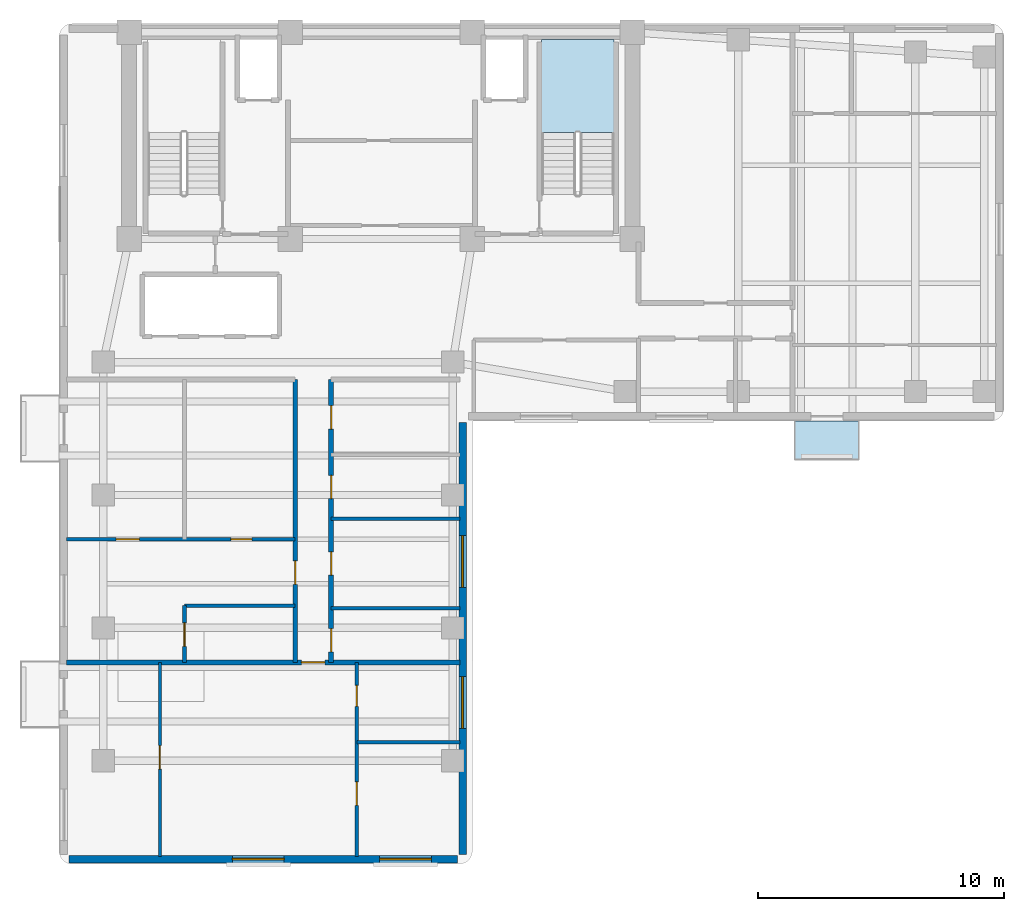
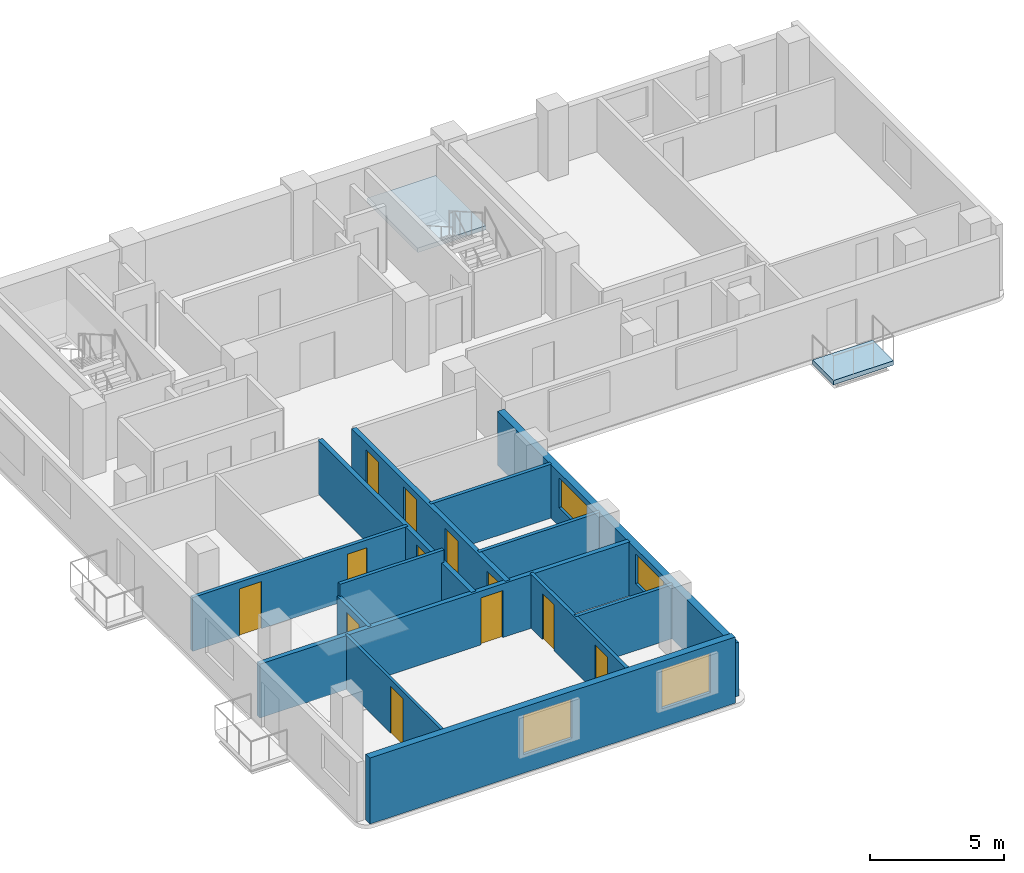
# One storey, part 2 of 7: 13 walls, 12 doors, 4 windows, 2 slabs, 16 openings, 1 element without a shape of its own.
"""IFC4 building model written with IfcOpenShell, lengths in metres."""

from ifc_helpers import new_model, si_unit, direction, frame, frame_2d, origin, place, context, subcontext, project, spatial, polyline, rectangle, outline, extrude, material, layer, layer_set, type_object, element, fill, aggregate, save


model = new_model("IFC4")

# Units and contexts
model_context = context("Model", 3, precision=1e-05, world=origin(), true_north=direction((0.0, 1.0)))
body_context = subcontext(model_context, "Body", "Model", "MODEL_VIEW")
ifc_project = project(units=[si_unit("LENGTHUNIT", "METRE"), si_unit("AREAUNIT", "SQUARE_METRE"), si_unit("VOLUMEUNIT", "CUBIC_METRE"), si_unit("PLANEANGLEUNIT", "RADIAN"), si_unit("MASSUNIT", "GRAM", prefix="KILO")], contexts=[model_context])

# Site, building, storey
site_placement = place(None, origin())
site = spatial("IfcSite", under=ifc_project, at=site_placement, CompositionType="ELEMENT")
building_placement = place(site_placement, origin())
building = spatial("IfcBuilding", under=site, at=building_placement, Name="Kuzgunbayir Cultural Tower", CompositionType="ELEMENT")
storey_placement = place(building_placement, frame((0.0, 0.0, 176.0)))
storey = spatial("IfcBuildingStorey", under=building, at=storey_placement, Name="L51", CompositionType="ELEMENT", Elevation=176.0)

# Slab
ifc_material_1 = material(Name="Concrete C40/50", Category="concrete")
ifc_layer_1 = layer(ifc_material_1, 0.199951171875)
ifc_layer_set_1 = layer_set([ifc_layer_1], Name="Concrete C40/50")
slab_type_1 = type_object("IfcSlabType", Name="SLB-BAL-STONE", PredefinedType="FLOOR", material=ifc_layer_set_1)
slab_1_placement = place(storey_placement, frame((0.0, 0.0, -0.199951171875)))
element("IfcSlab", 1, at=slab_1_placement, inside=storey, type_object=slab_type_1, Name="L51 Projecting Limestone Balcony BAL-L51-WB2", PredefinedType="FLOOR", context=body_context, shape_type="SweptSolid", body=[
    extrude(outline(polyline([(33.5, 24.840087890625), (36.10009765625, 24.840087890625), (36.10009765625, 26.39990234375), (33.5, 26.39990234375), (33.5, 24.840087890625)])), origin(), (0.0, 0.0, 1.0), 0.199951171875),
])

# Stair, slab
stair_type = type_object("IfcStairType", Name="STR-EXIT-CORE", PredefinedType="HALF_TURN_STAIR", material=ifc_material_1)
stair_placement = place(storey_placement, origin())
stair = element("IfcStair", 2, at=stair_placement, inside=storey, type_object=stair_type, Name="L51 ST-2", PredefinedType="HALF_TURN_STAIR")
ifc_layer_2 = layer(ifc_material_1, 0.179931640625)
ifc_layer_set_2 = layer_set([ifc_layer_2], Name="Concrete C40/50")
slab_type_2 = type_object("IfcSlabType", Name="SLB-LANDING-180", PredefinedType="LANDING", material=ifc_layer_set_2)
slab_2_placement = place(storey_placement, frame((0.0, 0.0, 1.39990234375)))
slab_2 = element("IfcSlab", 3, at=slab_2_placement, type_object=slab_type_2, Name="ST-2 landing 1", PredefinedType="LANDING", context=body_context, shape_type="SweptSolid", body=[
    extrude(outline(polyline([(26.159912109375, 38.1201171875), (26.159912109375, 41.89990234375), (23.199951171875, 41.89990234375), (23.199951171875, 38.1201171875), (26.159912109375, 38.1201171875)])), origin(), (0.0, 0.0, 1.0), 0.2001953125),
])
aggregate(stair, [slab_2])

# Wall, openings, windows
ifc_material_2 = material(Name="Anatolian Cream Limestone", Category="masonry")
ifc_layer_3 = layer(ifc_material_2, 0.300048828125)
ifc_layer_set_3 = layer_set([ifc_layer_3], Name="Anatolian Cream Limestone")
wall_type_1 = type_object("IfcWallType", Name="WAL-EXT-STONE-300", PredefinedType="STANDARD", material=ifc_layer_set_3)
wall_1_placement = place(storey_placement, frame((4.0, 8.60009765625, 0.0), z_axis=(0.0, 0.0, 1.0), x_axis=(1.0, 0.0, 0.0)))
wall_1 = element("IfcWall", 4, at=wall_1_placement, inside=storey, type_object=wall_type_1, Name="L51 Wing A South Limestone Wall", PredefinedType="STANDARD", context=body_context, shape_type="SweptSolid", body=[
    extrude(rectangle(XDim=15.800048828125, YDim=0.300048828125, at=frame_2d((7.89990234375, 0.0))), origin(), (0.0, 0.0, 1.0), 3.02001953125),
])
opening_1_placement = place(wall_1_placement, frame((6.64990234375, 0.0, 0.85009765625)))
opening_1 = element("IfcOpeningElement", 5, at=opening_1_placement, cuts=wall_1, Name="Opening WR-21", PredefinedType="OPENING", context=body_context, shape_type="SweptSolid", body=[
    extrude(rectangle(XDim=2.10009765625, YDim=1.800048828125, at=frame_2d((1.050048828125, 0.89990234375))), frame((0.0, 0.16015625, 0.0), z_axis=(0.0, -1.0, 0.0), x_axis=(1.0, 0.0, 0.0)), (0.0, 0.0, 1.0), 0.320068359375),
])
opening_2_placement = place(wall_1_placement, frame((12.6298828125, 0.0, 0.85009765625)))
opening_2 = element("IfcOpeningElement", 6, at=opening_2_placement, cuts=wall_1, Name="Opening WR-21", PredefinedType="OPENING", context=body_context, shape_type="SweptSolid", body=[
    extrude(rectangle(XDim=2.10009765625, YDim=1.800048828125, at=frame_2d((1.050048828125, 0.89990234375))), frame((0.0, 0.16015625, 0.0), z_axis=(0.0, -1.0, 0.0), x_axis=(1.0, 0.0, 0.0)), (0.0, 0.0, 1.0), 0.320068359375),
])
ifc_material_3 = material(Name="Solar-Control Triple Glazing", Category="glass")
window_type = type_object("IfcWindowType", Name="WIN-RESID-21", PartitioningType="SINGLE_PANEL", PredefinedType="WINDOW", material=ifc_material_3)
window_1_placement = place(opening_1_placement, origin())
window_1 = element("IfcWindow", 7, at=window_1_placement, inside=storey, type_object=window_type, Name="L51 WAS Facade Window 1", OverallHeight=1.800048828125, OverallWidth=2.10009765625, PartitioningType="SINGLE_PANEL", PredefinedType="WINDOW", context=body_context, shape_type="SweptSolid", body=[
    extrude(rectangle(XDim=2.10009765625, YDim=1.800048828125, at=frame_2d((1.050048828125, 0.89990234375))), frame((0.0, 0.030029296875, 0.0), z_axis=(0.0, -1.0, 0.0), x_axis=(1.0, 0.0, 0.0)), (0.0, 0.0, 1.0), 0.06005859375),
])
fill(opening_1, window_1)
window_2_placement = place(opening_2_placement, origin())
window_2 = element("IfcWindow", 8, at=window_2_placement, inside=storey, type_object=window_type, Name="L51 WAS Facade Window 2", OverallHeight=1.800048828125, OverallWidth=2.10009765625, PartitioningType="SINGLE_PANEL", PredefinedType="WINDOW", context=body_context, shape_type="SweptSolid", body=[
    extrude(rectangle(XDim=2.10009765625, YDim=1.800048828125, at=frame_2d((1.050048828125, 0.89990234375))), frame((0.0, 0.030029296875, 0.0), z_axis=(0.0, -1.0, 0.0), x_axis=(1.0, 0.0, 0.0)), (0.0, 0.0, 1.0), 0.06005859375),
])
fill(opening_2, window_2)

wall_2_placement = place(storey_placement, frame((20.0, 8.800048828125, 0.0), z_axis=(0.0, 0.0, 1.0), x_axis=(0.0, 1.0, 0.0)))
wall_2 = element("IfcWall", 9, at=wall_2_placement, inside=storey, type_object=wall_type_1, Name="L51 Wing A East Limestone Wall", PredefinedType="STANDARD", context=body_context, shape_type="SweptSolid", body=[
    extrude(rectangle(XDim=17.550048828125, YDim=0.300048828125, at=frame_2d((8.77490234375, 0.0))), origin(), (0.0, 0.0, 1.0), 2.4599609375),
])
opening_3_placement = place(wall_2_placement, frame((5.1201171875, 0.0, 0.85009765625)))
opening_3 = element("IfcOpeningElement", 10, at=opening_3_placement, cuts=wall_2, Name="Opening WR-21", PredefinedType="OPENING", context=body_context, shape_type="SweptSolid", body=[
    extrude(rectangle(XDim=2.10009765625, YDim=1.360107421875, at=frame_2d((1.050048828125, 0.68017578125))), frame((0.0, 0.16015625, 0.0), z_axis=(0.0, -1.0, 0.0), x_axis=(1.0, 0.0, 0.0)), (0.0, 0.0, 1.0), 0.320068359375),
])
opening_4_placement = place(wall_2_placement, frame((10.85009765625, 0.0, 0.85009765625)))
opening_4 = element("IfcOpeningElement", 11, at=opening_4_placement, cuts=wall_2, Name="Opening WR-21", PredefinedType="OPENING", context=body_context, shape_type="SweptSolid", body=[
    extrude(rectangle(XDim=2.10009765625, YDim=1.360107421875, at=frame_2d((1.050048828125, 0.68017578125))), frame((0.0, 0.16015625, 0.0), z_axis=(0.0, -1.0, 0.0), x_axis=(1.0, 0.0, 0.0)), (0.0, 0.0, 1.0), 0.320068359375),
])
window_3_placement = place(opening_3_placement, origin())
window_3 = element("IfcWindow", 12, at=window_3_placement, inside=storey, type_object=window_type, Name="L51 WAE Facade Window 3", OverallHeight=1.360107421875, OverallWidth=2.10009765625, PartitioningType="SINGLE_PANEL", PredefinedType="WINDOW", context=body_context, shape_type="SweptSolid", body=[
    extrude(rectangle(XDim=2.10009765625, YDim=1.360107421875, at=frame_2d((1.050048828125, 0.68017578125))), frame((0.0, 0.030029296875, 0.0), z_axis=(0.0, -1.0, 0.0), x_axis=(1.0, 0.0, 0.0)), (0.0, 0.0, 1.0), 0.06005859375),
])
fill(opening_3, window_3)
window_4_placement = place(opening_4_placement, origin())
window_4 = element("IfcWindow", 13, at=window_4_placement, inside=storey, type_object=window_type, Name="L51 WAE Facade Window 11", OverallHeight=1.360107421875, OverallWidth=2.10009765625, PartitioningType="SINGLE_PANEL", PredefinedType="WINDOW", context=body_context, shape_type="SweptSolid", body=[
    extrude(rectangle(XDim=2.10009765625, YDim=1.360107421875, at=frame_2d((1.050048828125, 0.68017578125))), frame((0.0, 0.030029296875, 0.0), z_axis=(0.0, -1.0, 0.0), x_axis=(1.0, 0.0, 0.0)), (0.0, 0.0, 1.0), 0.06005859375),
])
fill(opening_4, window_4)

# Wall
ifc_material_4 = material(Name="Acoustic Double-Stud Drywall", Category="gypsum")
ifc_layer_4 = layer(ifc_material_4, 0.14990234375)
ifc_layer_set_4 = layer_set([ifc_layer_4], Name="Acoustic Double-Stud Drywall")
wall_type_2 = type_object("IfcWallType", Name="WAL-PART-ACOUSTIC-150", PredefinedType="PARTITIONING", material=ifc_layer_set_4)
wall_3_placement = place(storey_placement, frame((14.659912109375, 22.429931640625, 0.0), z_axis=(0.0, 0.0, 1.0), x_axis=(1.0, 0.0, 0.0)))
element("IfcWall", 14, at=wall_3_placement, inside=storey, type_object=wall_type_2, Name="L51 East Divider 1", PredefinedType="PARTITIONING", context=body_context, shape_type="SweptSolid", body=[
    extrude(rectangle(XDim=5.239990234375, YDim=0.14990234375, at=frame_2d((2.6201171875, 0.0))), origin(), (0.0, 0.0, 1.0), 2.4599609375),
])

# Wall, opening, door
ifc_material_5 = material(Name="Aerated Concrete Blockwork", Category="masonry")
ifc_layer_5 = layer(ifc_material_5, 0.199951171875)
ifc_layer_set_5 = layer_set([ifc_layer_5], Name="Aerated Concrete Blockwork")
wall_type_3 = type_object("IfcWallType", Name="WAL-PART-FIRE-200", PredefinedType="PARTITIONING", material=ifc_layer_set_5)
wall_4_placement = place(storey_placement, frame((13.199951171875, 16.60009765625, 0.0), z_axis=(0.0, 0.0, 1.0), x_axis=(0.0, 1.0, 0.0)))
wall_4 = element("IfcWall", 15, at=wall_4_placement, inside=storey, type_object=wall_type_3, Name="L51 Wing A West Corridor Wall", PredefinedType="PARTITIONING", context=body_context, shape_type="SweptSolid", body=[
    extrude(rectangle(XDim=11.5, YDim=0.199951171875, at=frame_2d((5.75, 0.0))), origin(), (0.0, 0.0, 1.0), 2.4599609375),
])
opening_5_placement = place(wall_4_placement, frame((3.169921875, 0.0, 0.0)))
opening_5 = element("IfcOpeningElement", 16, at=opening_5_placement, cuts=wall_4, Name="Opening DR-APT-60", PredefinedType="OPENING", context=body_context, shape_type="SweptSolid", body=[
    extrude(rectangle(XDim=0.949951171875, YDim=2.14990234375, at=frame_2d((0.47509765625, 1.074951171875))), frame((0.0, 0.10986328125, 0.0), z_axis=(0.0, -1.0, 0.0), x_axis=(1.0, 0.0, 0.0)), (0.0, 0.0, 1.0), 0.219970703125),
])
ifc_material_6 = material(Name="Acoustic Fire Timber Leaf", Category="wood")
door_type_1 = type_object("IfcDoorType", Name="DR-APT-60", OperationType="NOTDEFINED", PredefinedType="DOOR", material=ifc_material_6)
door_1_placement = place(opening_5_placement, origin())
door_1 = element("IfcDoor", 17, at=door_1_placement, inside=storey, type_object=door_type_1, Name="L51 Apartment B Entrance", OperationType="SINGLE_SWING_RIGHT", OverallHeight=2.14990234375, OverallWidth=0.949951171875, PredefinedType="DOOR", context=body_context, shape_type="SweptSolid", body=[
    extrude(rectangle(XDim=0.949951171875, YDim=2.14990234375, at=frame_2d((0.47509765625, 1.074951171875))), frame((0.0, 0.02490234375, 0.0), z_axis=(0.0, -1.0, 0.0), x_axis=(1.0, 0.0, 0.0)), (0.0, 0.0, 1.0), 0.050048828125),
])
fill(opening_5, door_1)

# Wall, openings, doors
wall_5_placement = place(storey_placement, frame((14.659912109375, 16.60009765625, 0.0), z_axis=(0.0, 0.0, 1.0), x_axis=(0.0, 1.0, 0.0)))
wall_5 = element("IfcWall", 18, at=wall_5_placement, inside=storey, type_object=wall_type_3, Name="L51 Wing A East Corridor Wall", PredefinedType="PARTITIONING", context=body_context, shape_type="SweptSolid", body=[
    extrude(rectangle(XDim=11.5, YDim=0.199951171875, at=frame_2d((5.75, 0.0))), origin(), (0.0, 0.0, 1.0), 2.4599609375),
])
opening_6_placement = place(wall_5_placement, frame((0.419921875, 0.0, 0.0)))
opening_6 = element("IfcOpeningElement", 19, at=opening_6_placement, cuts=wall_5, Name="Opening DW-95", PredefinedType="OPENING", context=body_context, shape_type="SweptSolid", body=[
    extrude(rectangle(XDim=0.949951171875, YDim=2.10009765625, at=frame_2d((0.47509765625, 1.050048828125))), frame((0.0, 0.10986328125, 0.0), z_axis=(0.0, -1.0, 0.0), x_axis=(1.0, 0.0, 0.0)), (0.0, 0.0, 1.0), 0.219970703125),
])
opening_7_placement = place(wall_5_placement, frame((3.5400390625, 0.0, 0.0)))
opening_7 = element("IfcOpeningElement", 20, at=opening_7_placement, cuts=wall_5, Name="Opening DI-90", PredefinedType="OPENING", context=body_context, shape_type="SweptSolid", body=[
    extrude(rectangle(XDim=0.949951171875, YDim=2.14990234375, at=frame_2d((0.47509765625, 1.074951171875))), frame((0.0, 0.10986328125, 0.0), z_axis=(0.0, -1.0, 0.0), x_axis=(1.0, 0.0, 0.0)), (0.0, 0.0, 1.0), 0.219970703125),
])
opening_8_placement = place(wall_5_placement, frame((6.64990234375, 0.0, 0.0)))
opening_8 = element("IfcOpeningElement", 21, at=opening_8_placement, cuts=wall_5, Name="Opening DI-90", PredefinedType="OPENING", context=body_context, shape_type="SweptSolid", body=[
    extrude(rectangle(XDim=0.949951171875, YDim=2.14990234375, at=frame_2d((0.47509765625, 1.074951171875))), frame((0.0, 0.10986328125, 0.0), z_axis=(0.0, -1.0, 0.0), x_axis=(1.0, 0.0, 0.0)), (0.0, 0.0, 1.0), 0.219970703125),
])
opening_9_placement = place(wall_5_placement, frame((9.47998046875, 0.0, 0.0)))
opening_9 = element("IfcOpeningElement", 22, at=opening_9_placement, cuts=wall_5, Name="Opening DI-90", PredefinedType="OPENING", context=body_context, shape_type="SweptSolid", body=[
    extrude(rectangle(XDim=0.949951171875, YDim=2.14990234375, at=frame_2d((0.47509765625, 1.074951171875))), frame((0.0, 0.10986328125, 0.0), z_axis=(0.0, -1.0, 0.0), x_axis=(1.0, 0.0, 0.0)), (0.0, 0.0, 1.0), 0.219970703125),
])
ifc_material_7 = material(Name="Veneered Oak Single Leaf", Category="wood")
door_type_2 = type_object("IfcDoorType", Name="DR-INT-90", OperationType="NOTDEFINED", PredefinedType="DOOR", material=ifc_material_7)
door_2_placement = place(opening_7_placement, origin())
door_2 = element("IfcDoor", 23, at=door_2_placement, inside=storey, type_object=door_type_2, Name="L51 East Art Publication Salon E1 Door", OperationType="SINGLE_SWING_LEFT", OverallHeight=2.14990234375, OverallWidth=0.949951171875, PredefinedType="DOOR", context=body_context, shape_type="SweptSolid", body=[
    extrude(rectangle(XDim=0.949951171875, YDim=2.14990234375, at=frame_2d((0.47509765625, 1.074951171875))), frame((0.0, 0.02490234375, 0.0), z_axis=(0.0, -1.0, 0.0), x_axis=(1.0, 0.0, 0.0)), (0.0, 0.0, 1.0), 0.050048828125),
])
fill(opening_7, door_2)
door_3_placement = place(opening_8_placement, origin())
door_3 = element("IfcDoor", 24, at=door_3_placement, inside=storey, type_object=door_type_2, Name="L51 East Wellness Consultation Studio E2 Door", OperationType="SINGLE_SWING_RIGHT", OverallHeight=2.14990234375, OverallWidth=0.949951171875, PredefinedType="DOOR", context=body_context, shape_type="SweptSolid", body=[
    extrude(rectangle(XDim=0.949951171875, YDim=2.14990234375, at=frame_2d((0.47509765625, 1.074951171875))), frame((0.0, 0.02490234375, 0.0), z_axis=(0.0, -1.0, 0.0), x_axis=(1.0, 0.0, 0.0)), (0.0, 0.0, 1.0), 0.050048828125),
])
fill(opening_8, door_3)
door_4_placement = place(opening_9_placement, origin())
door_4 = element("IfcDoor", 25, at=door_4_placement, inside=storey, type_object=door_type_2, Name="L51 East Art Publication Salon E3 Door", OperationType="SINGLE_SWING_LEFT", OverallHeight=2.14990234375, OverallWidth=0.949951171875, PredefinedType="DOOR", context=body_context, shape_type="SweptSolid", body=[
    extrude(rectangle(XDim=0.949951171875, YDim=2.14990234375, at=frame_2d((0.47509765625, 1.074951171875))), frame((0.0, 0.02490234375, 0.0), z_axis=(0.0, -1.0, 0.0), x_axis=(1.0, 0.0, 0.0)), (0.0, 0.0, 1.0), 0.050048828125),
])
fill(opening_9, door_4)
ifc_material_8 = material(Name="Laminate Moisture-Resistant Leaf", Category="wood")
door_type_3 = type_object("IfcDoorType", Name="DR-WET-95", OperationType="NOTDEFINED", PredefinedType="DOOR", material=ifc_material_8)
door_5_placement = place(opening_6_placement, origin())
door_5 = element("IfcDoor", 26, at=door_5_placement, inside=storey, type_object=door_type_3, Name="L51 Visitor Accessible WC Door", OperationType="SINGLE_SWING_RIGHT", OverallHeight=2.10009765625, OverallWidth=0.949951171875, PredefinedType="DOOR", context=body_context, shape_type="SweptSolid", body=[
    extrude(rectangle(XDim=0.949951171875, YDim=2.10009765625, at=frame_2d((0.47509765625, 1.050048828125))), frame((0.0, 0.02490234375, 0.0), z_axis=(0.0, -1.0, 0.0), x_axis=(1.0, 0.0, 0.0)), (0.0, 0.0, 1.0), 0.050048828125),
])
fill(opening_6, door_5)

# Wall, opening, door
wall_6_placement = place(storey_placement, frame((3.89990234375, 16.60009765625, 0.0), z_axis=(0.0, 0.0, 1.0), x_axis=(1.0, 0.0, 0.0)))
wall_6 = element("IfcWall", 27, at=wall_6_placement, inside=storey, type_object=wall_type_3, Name="L51 South Cross Partition", PredefinedType="PARTITIONING", context=body_context, shape_type="SweptSolid", body=[
    extrude(rectangle(XDim=16.0, YDim=0.199951171875, at=frame_2d((8.0, 0.0))), origin(), (0.0, 0.0, 1.0), 2.4599609375),
])
opening_10_placement = place(wall_6_placement, frame((9.550048828125, 0.0, 0.0)))
opening_10 = element("IfcOpeningElement", 28, at=opening_10_placement, cuts=wall_6, Name="Opening DR-APT-60", PredefinedType="OPENING", context=body_context, shape_type="SweptSolid", body=[
    extrude(rectangle(XDim=0.949951171875, YDim=2.14990234375, at=frame_2d((0.47509765625, 1.074951171875))), frame((0.0, 0.10986328125, 0.0), z_axis=(0.0, -1.0, 0.0), x_axis=(1.0, 0.0, 0.0)), (0.0, 0.0, 1.0), 0.219970703125),
])
door_6_placement = place(opening_10_placement, origin())
door_6 = element("IfcDoor", 29, at=door_6_placement, inside=storey, type_object=door_type_1, Name="L51 Apartment A Entrance", OperationType="SINGLE_SWING_RIGHT", OverallHeight=2.14990234375, OverallWidth=0.949951171875, PredefinedType="DOOR", context=body_context, shape_type="SweptSolid", body=[
    extrude(rectangle(XDim=0.949951171875, YDim=2.14990234375, at=frame_2d((0.47509765625, 1.074951171875))), frame((0.0, 0.02490234375, 0.0), z_axis=(0.0, -1.0, 0.0), x_axis=(1.0, 0.0, 0.0)), (0.0, 0.0, 1.0), 0.050048828125),
])
fill(opening_10, door_6)

ifc_material_9 = material(Name="Framed Gypsum Partition", Category="gypsum")
ifc_layer_6 = layer(ifc_material_9, 0.1201171875)
ifc_layer_set_6 = layer_set([ifc_layer_6], Name="Framed Gypsum Partition")
wall_type_4 = type_object("IfcWallType", Name="WAL-PART-INT-120", PredefinedType="PARTITIONING", material=ifc_layer_set_6)
wall_7_placement = place(storey_placement, frame((7.699951171875, 8.699951171875, 0.0), z_axis=(0.0, 0.0, 1.0), x_axis=(0.0, 1.0, 0.0)))
wall_7 = element("IfcWall", 30, at=wall_7_placement, inside=storey, type_object=wall_type_4, Name="L51 Flat A West Bedroom Wall", PredefinedType="PARTITIONING", context=body_context, shape_type="SweptSolid", body=[
    extrude(rectangle(XDim=7.900146484375, YDim=0.1201171875, at=frame_2d((3.9501953125, 0.0))), origin(), (0.0, 0.0, 1.0), 2.4599609375),
])
opening_11_placement = place(wall_7_placement, frame((3.56005859375, 0.0, 0.0)))
opening_11 = element("IfcOpeningElement", 31, at=opening_11_placement, cuts=wall_7, Name="Opening DI-90", PredefinedType="OPENING", context=body_context, shape_type="SweptSolid", body=[
    extrude(rectangle(XDim=0.949951171875, YDim=2.14990234375, at=frame_2d((0.47509765625, 1.074951171875))), frame((0.0, 0.070068359375, 0.0), z_axis=(0.0, -1.0, 0.0), x_axis=(1.0, 0.0, 0.0)), (0.0, 0.0, 1.0), 0.14013671875),
])
door_7_placement = place(opening_11_placement, origin())
door_7 = element("IfcDoor", 32, at=door_7_placement, inside=storey, type_object=door_type_2, Name="L51 Apartment A Bedroom Door", OperationType="SINGLE_SWING_LEFT", OverallHeight=2.14990234375, OverallWidth=0.949951171875, PredefinedType="DOOR", context=body_context, shape_type="SweptSolid", body=[
    extrude(rectangle(XDim=0.949951171875, YDim=2.14990234375, at=frame_2d((0.47509765625, 1.074951171875))), frame((0.0, 0.02490234375, 0.0), z_axis=(0.0, -1.0, 0.0), x_axis=(1.0, 0.0, 0.0)), (0.0, 0.0, 1.0), 0.050048828125),
])
fill(opening_11, door_7)

# Wall, openings, doors
ifc_material_10 = material(Name="Moisture-Resistant Tile Partition", Category="gypsum")
ifc_layer_7 = layer(ifc_material_10, 0.14990234375)
ifc_layer_set_7 = layer_set([ifc_layer_7], Name="Moisture-Resistant Tile Partition")
wall_type_5 = type_object("IfcWallType", Name="WAL-PART-WET-150", PredefinedType="PARTITIONING", material=ifc_layer_set_7)
wall_8_placement = place(storey_placement, frame((15.699951171875, 8.699951171875, 0.0), z_axis=(0.0, 0.0, 1.0), x_axis=(0.0, 1.0, 0.0)))
wall_8 = element("IfcWall", 33, at=wall_8_placement, inside=storey, type_object=wall_type_5, Name="L51 Flat A East Service Wall", PredefinedType="PARTITIONING", context=body_context, shape_type="SweptSolid", body=[
    extrude(rectangle(XDim=7.900146484375, YDim=0.14990234375, at=frame_2d((3.9501953125, 0.0))), origin(), (0.0, 0.0, 1.0), 2.4599609375),
])
opening_12_placement = place(wall_8_placement, frame((2.090087890625, 0.0, 0.0)))
opening_12 = element("IfcOpeningElement", 34, at=opening_12_placement, cuts=wall_8, Name="Opening DI-90", PredefinedType="OPENING", context=body_context, shape_type="SweptSolid", body=[
    extrude(rectangle(XDim=0.949951171875, YDim=2.14990234375, at=frame_2d((0.47509765625, 1.074951171875))), frame((0.0, 0.0849609375, 0.0), z_axis=(0.0, -1.0, 0.0), x_axis=(1.0, 0.0, 0.0)), (0.0, 0.0, 1.0), 0.169921875),
])
opening_13_placement = place(wall_8_placement, frame((6.110107421875, 0.0, 0.0)))
opening_13 = element("IfcOpeningElement", 35, at=opening_13_placement, cuts=wall_8, Name="Opening DW-85", PredefinedType="OPENING", context=body_context, shape_type="SweptSolid", body=[
    extrude(rectangle(XDim=0.85009765625, YDim=2.10009765625, at=frame_2d((0.425048828125, 1.050048828125))), frame((0.0, 0.0849609375, 0.0), z_axis=(0.0, -1.0, 0.0), x_axis=(1.0, 0.0, 0.0)), (0.0, 0.0, 1.0), 0.169921875),
])
door_8_placement = place(opening_12_placement, origin())
door_8 = element("IfcDoor", 36, at=door_8_placement, inside=storey, type_object=door_type_2, Name="L51 Apartment A Kitchen Door", OperationType="SINGLE_SWING_RIGHT", OverallHeight=2.14990234375, OverallWidth=0.949951171875, PredefinedType="DOOR", context=body_context, shape_type="SweptSolid", body=[
    extrude(rectangle(XDim=0.949951171875, YDim=2.14990234375, at=frame_2d((0.47509765625, 1.074951171875))), frame((0.0, 0.02490234375, 0.0), z_axis=(0.0, -1.0, 0.0), x_axis=(1.0, 0.0, 0.0)), (0.0, 0.0, 1.0), 0.050048828125),
])
fill(opening_12, door_8)
door_type_4 = type_object("IfcDoorType", Name="DR-WET-85", OperationType="NOTDEFINED", PredefinedType="DOOR", material=ifc_material_8)
door_9_placement = place(opening_13_placement, origin())
door_9 = element("IfcDoor", 37, at=door_9_placement, inside=storey, type_object=door_type_4, Name="L51 Apartment A Bathroom Door", OperationType="SINGLE_SWING_LEFT", OverallHeight=2.10009765625, OverallWidth=0.85009765625, PredefinedType="DOOR", context=body_context, shape_type="SweptSolid", body=[
    extrude(rectangle(XDim=0.85009765625, YDim=2.10009765625, at=frame_2d((0.425048828125, 1.050048828125))), frame((0.0, 0.02490234375, 0.0), z_axis=(0.0, -1.0, 0.0), x_axis=(1.0, 0.0, 0.0)), (0.0, 0.0, 1.0), 0.050048828125),
])
fill(opening_13, door_9)

# Wall
wall_9_placement = place(storey_placement, frame((15.699951171875, 13.35009765625, 0.0), z_axis=(0.0, 0.0, 1.0), x_axis=(1.0, 0.0, 0.0)))
element("IfcWall", 38, at=wall_9_placement, inside=storey, type_object=wall_type_5, Name="L51 Flat A Bath Kitchen Divider", PredefinedType="PARTITIONING", context=body_context, shape_type="SweptSolid", body=[
    extrude(rectangle(XDim=4.199951171875, YDim=0.14990234375, at=frame_2d((2.10009765625, 0.0))), origin(), (0.0, 0.0, 1.0), 2.4599609375),
])

# Wall, openings, doors
wall_10_placement = place(storey_placement, frame((3.89990234375, 21.60009765625, 0.0), z_axis=(0.0, 0.0, 1.0), x_axis=(1.0, 0.0, 0.0)))
wall_10 = element("IfcWall", 39, at=wall_10_placement, inside=storey, type_object=wall_type_5, Name="L51 Flat B North Wall", PredefinedType="PARTITIONING", context=body_context, shape_type="SweptSolid", body=[
    extrude(rectangle(XDim=9.300048828125, YDim=0.14990234375, at=frame_2d((4.64990234375, 0.0))), origin(), (0.0, 0.0, 1.0), 2.4599609375),
])
opening_14_placement = place(wall_10_placement, frame((2.02001953125, 0.0, 0.0)))
opening_14 = element("IfcOpeningElement", 40, at=opening_14_placement, cuts=wall_10, Name="Opening DI-90", PredefinedType="OPENING", context=body_context, shape_type="SweptSolid", body=[
    extrude(rectangle(XDim=0.949951171875, YDim=2.14990234375, at=frame_2d((0.47509765625, 1.074951171875))), frame((0.0, 0.0849609375, 0.0), z_axis=(0.0, -1.0, 0.0), x_axis=(1.0, 0.0, 0.0)), (0.0, 0.0, 1.0), 0.169921875),
])
opening_15_placement = place(wall_10_placement, frame((6.68994140625, 0.0, 0.0)))
opening_15 = element("IfcOpeningElement", 41, at=opening_15_placement, cuts=wall_10, Name="Opening DW-85", PredefinedType="OPENING", context=body_context, shape_type="SweptSolid", body=[
    extrude(rectangle(XDim=0.85009765625, YDim=2.10009765625, at=frame_2d((0.425048828125, 1.050048828125))), frame((0.0, 0.0849609375, 0.0), z_axis=(0.0, -1.0, 0.0), x_axis=(1.0, 0.0, 0.0)), (0.0, 0.0, 1.0), 0.169921875),
])
door_10_placement = place(opening_14_placement, origin())
door_10 = element("IfcDoor", 42, at=door_10_placement, inside=storey, type_object=door_type_2, Name="L51 Apartment B Bedroom Door", OperationType="SINGLE_SWING_RIGHT", OverallHeight=2.14990234375, OverallWidth=0.949951171875, PredefinedType="DOOR", context=body_context, shape_type="SweptSolid", body=[
    extrude(rectangle(XDim=0.949951171875, YDim=2.14990234375, at=frame_2d((0.47509765625, 1.074951171875))), frame((0.0, 0.02490234375, 0.0), z_axis=(0.0, -1.0, 0.0), x_axis=(1.0, 0.0, 0.0)), (0.0, 0.0, 1.0), 0.050048828125),
])
fill(opening_14, door_10)
door_11_placement = place(opening_15_placement, origin())
door_11 = element("IfcDoor", 43, at=door_11_placement, inside=storey, type_object=door_type_4, Name="L51 Apartment B Bathroom Door", OperationType="SINGLE_SWING_LEFT", OverallHeight=2.10009765625, OverallWidth=0.85009765625, PredefinedType="DOOR", context=body_context, shape_type="SweptSolid", body=[
    extrude(rectangle(XDim=0.85009765625, YDim=2.10009765625, at=frame_2d((0.425048828125, 1.050048828125))), frame((0.0, 0.02490234375, 0.0), z_axis=(0.0, -1.0, 0.0), x_axis=(1.0, 0.0, 0.0)), (0.0, 0.0, 1.0), 0.050048828125),
])
fill(opening_15, door_11)

# Wall, opening, door
wall_11_placement = place(storey_placement, frame((8.699951171875, 16.60009765625, 0.0), z_axis=(0.0, 0.0, 1.0), x_axis=(0.0, 1.0, 0.0)))
wall_11 = element("IfcWall", 44, at=wall_11_placement, inside=storey, type_object=wall_type_5, Name="L51 Flat B Kitchen Alcove Wall", PredefinedType="PARTITIONING", context=body_context, shape_type="SweptSolid", body=[
    extrude(rectangle(XDim=2.2998046875, YDim=0.14990234375, at=frame_2d((1.14990234375, 0.0))), origin(), (0.0, 0.0, 1.0), 2.4599609375),
])
opening_16_placement = place(wall_11_placement, frame((0.64990234375, 0.0, 0.0)))
opening_16 = element("IfcOpeningElement", 45, at=opening_16_placement, cuts=wall_11, Name="Opening DI-90", PredefinedType="OPENING", context=body_context, shape_type="SweptSolid", body=[
    extrude(rectangle(XDim=0.949951171875, YDim=2.14990234375, at=frame_2d((0.47509765625, 1.074951171875))), frame((0.0, 0.0849609375, 0.0), z_axis=(0.0, -1.0, 0.0), x_axis=(1.0, 0.0, 0.0)), (0.0, 0.0, 1.0), 0.169921875),
])
door_12_placement = place(opening_16_placement, origin())
door_12 = element("IfcDoor", 46, at=door_12_placement, inside=storey, type_object=door_type_2, Name="L51 Apartment B Kitchen Door", OperationType="SINGLE_SWING_LEFT", OverallHeight=2.14990234375, OverallWidth=0.949951171875, PredefinedType="DOOR", context=body_context, shape_type="SweptSolid", body=[
    extrude(rectangle(XDim=0.949951171875, YDim=2.14990234375, at=frame_2d((0.47509765625, 1.074951171875))), frame((0.0, 0.02490234375, 0.0), z_axis=(0.0, -1.0, 0.0), x_axis=(1.0, 0.0, 0.0)), (0.0, 0.0, 1.0), 0.050048828125),
])
fill(opening_16, door_12)

# Walls
wall_12_placement = place(storey_placement, frame((8.699951171875, 18.89990234375, 0.0), z_axis=(0.0, 0.0, 1.0), x_axis=(1.0, 0.0, 0.0)))
element("IfcWall", 47, at=wall_12_placement, inside=storey, type_object=wall_type_5, Name="L51 Flat B Kitchen North Wall", PredefinedType="PARTITIONING", context=body_context, shape_type="SweptSolid", body=[
    extrude(rectangle(XDim=4.5, YDim=0.14990234375, at=frame_2d((2.25, 0.0))), origin(), (0.0, 0.0, 1.0), 3.02001953125),
])
wall_13_placement = place(storey_placement, frame((14.659912109375, 18.800048828125, 0.0), z_axis=(0.0, 0.0, 1.0), x_axis=(1.0, 0.0, 0.0)))
element("IfcWall", 48, at=wall_13_placement, inside=storey, type_object=wall_type_5, Name="L51 East Accessible WC Wall", PredefinedType="PARTITIONING", context=body_context, shape_type="SweptSolid", body=[
    extrude(rectangle(XDim=5.239990234375, YDim=0.14990234375, at=frame_2d((2.6201171875, 0.0))), origin(), (0.0, 0.0, 1.0), 2.4599609375),
])

save(model, "model.ifc")
